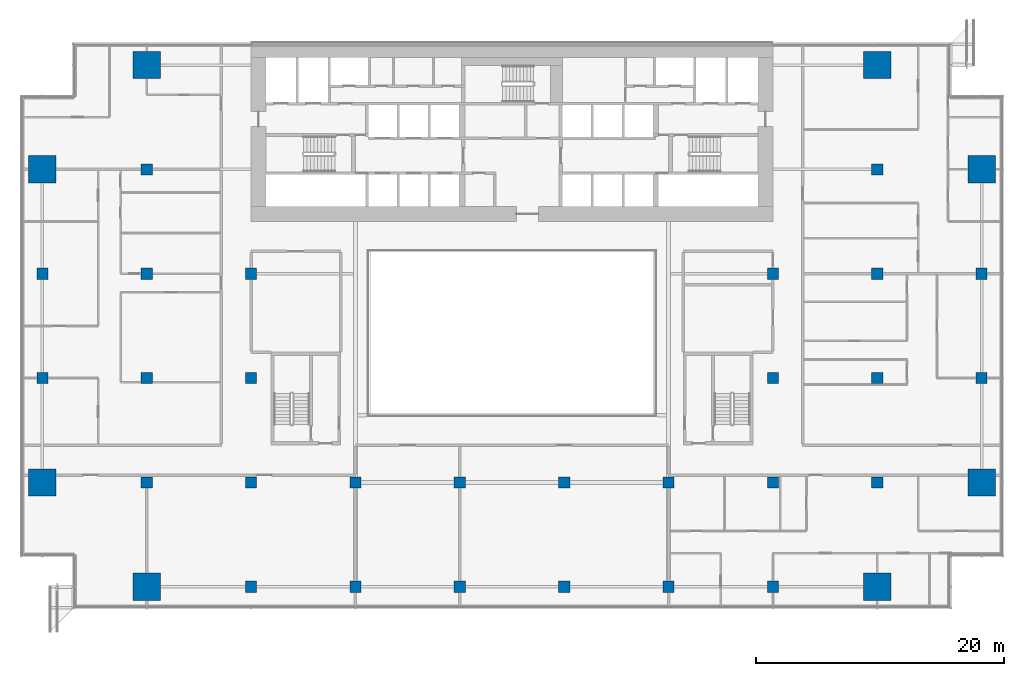
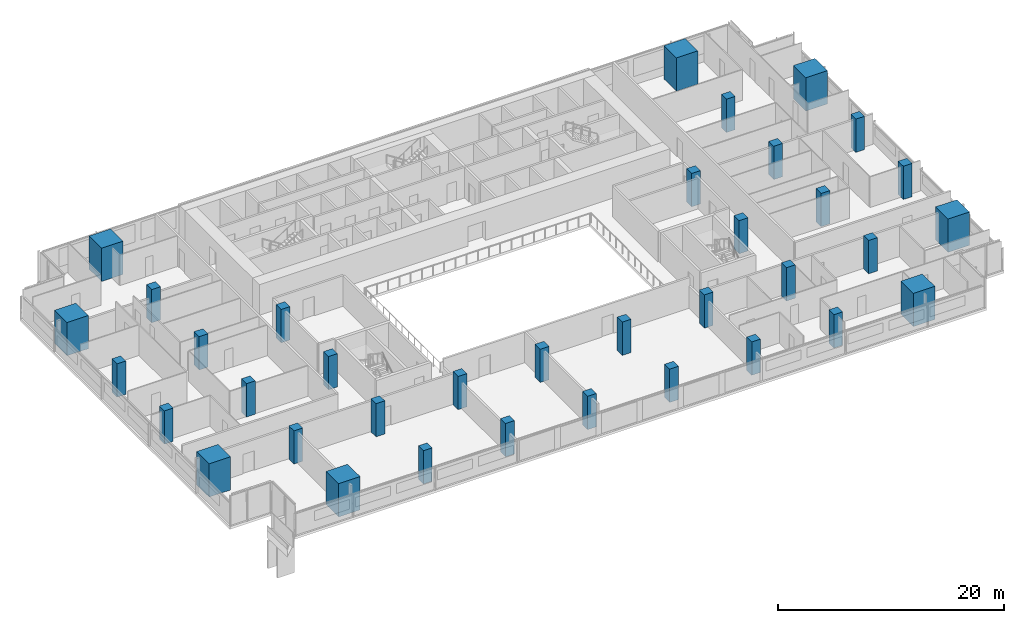
# One storey, part 1 of 25: 36 columns.
"""IFC4 building model written with IfcOpenShell, lengths in metres."""

from ifc_helpers import new_model, si_unit, direction, frame, origin, origin_2d, place, context, subcontext, project, spatial, rectangle, extrude, material, material_profile, profile_set, type_object, element, save


model = new_model("IFC4")

# Units and contexts
model_context = context("Model", 3, precision=1e-05, world=origin(), true_north=direction((0.0, 1.0)))
body_context = subcontext(model_context, "Body", "Model", "MODEL_VIEW")
ifc_project = project(units=[si_unit("LENGTHUNIT", "METRE"), si_unit("AREAUNIT", "SQUARE_METRE"), si_unit("VOLUMEUNIT", "CUBIC_METRE"), si_unit("PLANEANGLEUNIT", "RADIAN"), si_unit("MASSUNIT", "GRAM", prefix="KILO")], contexts=[model_context])

# Site, building, storey
site_placement = place(None, origin())
site = spatial("IfcSite", under=ifc_project, at=site_placement, CompositionType="ELEMENT")
building_placement = place(site_placement, origin())
building = spatial("IfcBuilding", under=site, at=building_placement, Name="Saffron Gate Tower", CompositionType="ELEMENT")
storey_placement = place(building_placement, frame((0.0, 0.0, 80.39990234375)))
storey = spatial("IfcBuildingStorey", under=building, at=storey_placement, Name="L19", CompositionType="ELEMENT", Elevation=80.39990234375)

# Columns
ifc_material_1 = material(Name="Concrete C60", Category="concrete")
ifc_material_profile_1 = material_profile(ifc_material_1, rectangle(XDim=0.89990234375, YDim=0.89990234375, at=origin_2d()))
ifc_profile_set_1 = profile_set([ifc_material_profile_1], Name="Concrete C60")
column_type_1 = type_object("IfcColumnType", Name="C6 RC 900x900 CONCRETE C60", PredefinedType="COLUMN", material=ifc_profile_set_1)
for number, where, z_axis, x_axis, name in (
    (1, (49.800048828125, 48.60009765625, 0.0), (0.0, 0.0, 1.0), (1.0, 0.0, 0.0), "C6 COLUMN X1-C"),
    (2, (49.800048828125, 57.0, 0.0), (0.0, 0.0, 1.0), (1.0, 0.0, 0.0), "C6 COLUMN X1-D"),
    (3, (58.199951171875, 40.199951171875, 0.0), (0.0, 0.0, 1.0), (1.0, 0.0, 0.0), "C6 COLUMN X2-B"),
    (4, (58.199951171875, 48.60009765625, 0.0), (0.0, 0.0, 1.0), (1.0, 0.0, 0.0), "C6 COLUMN X2-C"),
    (5, (58.199951171875, 57.0, 0.0), (0.0, 0.0, 1.0), (1.0, 0.0, 0.0), "C6 COLUMN X2-D"),
    (6, (58.199951171875, 65.39990234375, 0.0), (0.0, 0.0, 1.0), (1.0, 0.0, 0.0), "C6 COLUMN X2-E"),
    (7, (66.60009765625, 31.800048828125, 0.0), (0.0, 0.0, 1.0), (1.0, 0.0, 0.0), "C6 COLUMN X3-A"),
    (8, (66.60009765625, 40.199951171875, 0.0), (0.0, 0.0, 1.0), (1.0, 0.0, 0.0), "C6 COLUMN X3-B"),
    (9, (66.60009765625, 48.60009765625, 0.0), (0.0, 0.0, 1.0), (1.0, 0.0, 0.0), "C6 COLUMN X3-C"),
    (10, (66.60009765625, 57.0, 0.0), (0.0, 0.0, 1.0), (1.0, 0.0, 0.0), "C6 COLUMN X3-D"),
    (11, (75.0, 31.800048828125, 0.0), (0.0, 0.0, 1.0), (1.0, 0.0, 0.0), "C6 COLUMN X4-A"),
    (12, (75.0, 40.199951171875, 0.0), (0.0, 0.0, 1.0), (1.0, 0.0, 0.0), "C6 COLUMN X4-B"),
    (13, (83.39990234375, 31.800048828125, 0.0), (0.0, 0.0, 1.0), (1.0, 0.0, 0.0), "C6 COLUMN X5-A"),
    (14, (83.39990234375, 40.199951171875, 0.0), (0.0, 0.0, 1.0), (1.0, 0.0, 0.0), "C6 COLUMN X5-B"),
    (15, (91.800048828125, 31.800048828125, 0.0), (0.0, 0.0, 1.0), (1.0, 0.0, 0.0), "C6 COLUMN X6-A"),
    (16, (91.800048828125, 40.199951171875, 0.0), (0.0, 0.0, 1.0), (1.0, 0.0, 0.0), "C6 COLUMN X6-B"),
    (17, (100.199951171875, 31.800048828125, 0.0), (0.0, 0.0, 1.0), (1.0, 0.0, 0.0), "C6 COLUMN X7-A"),
    (18, (100.199951171875, 40.199951171875, 0.0), (0.0, 0.0, 1.0), (1.0, 0.0, 0.0), "C6 COLUMN X7-B"),
    (19, (108.60009765625, 31.800048828125, 0.0), (0.0, 0.0, 1.0), (1.0, 0.0, 0.0), "C6 COLUMN X8-A"),
    (20, (108.60009765625, 40.199951171875, 0.0), (0.0, 0.0, 1.0), (1.0, 0.0, 0.0), "C6 COLUMN X8-B"),
    (21, (108.60009765625, 48.60009765625, 0.0), (0.0, 0.0, 1.0), (1.0, 0.0, 0.0), "C6 COLUMN X8-C"),
    (22, (108.60009765625, 57.0, 0.0), (0.0, 0.0, 1.0), (1.0, 0.0, 0.0), "C6 COLUMN X8-D"),
    (23, (117.0, 40.199951171875, 0.0), (0.0, 0.0, 1.0), (1.0, 0.0, 0.0), "C6 COLUMN X9-B"),
    (24, (117.0, 48.60009765625, 0.0), (0.0, 0.0, 1.0), (1.0, 0.0, 0.0), "C6 COLUMN X9-C"),
    (25, (117.0, 57.0, 0.0), (0.0, 0.0, 1.0), (1.0, 0.0, 0.0), "C6 COLUMN X9-D"),
    (26, (117.0, 65.39990234375, 0.0), (0.0, 0.0, 1.0), (1.0, 0.0, 0.0), "C6 COLUMN X9-E"),
    (27, (125.39990234375, 48.60009765625, 0.0), (0.0, 0.0, 1.0), (1.0, 0.0, 0.0), "C6 COLUMN X10-C"),
    (28, (125.39990234375, 57.0, 0.0), (0.0, 0.0, 1.0), (1.0, 0.0, 0.0), "C6 COLUMN X10-D"),
):
    element("IfcColumn", number, at=place(storey_placement, frame(where, z_axis=z_axis, x_axis=x_axis)), inside=storey, type_object=column_type_1, Name=name, PredefinedType="COLUMN", context=body_context, shape_type="SweptSolid", body=[
        extrude(rectangle(XDim=0.89990234375, YDim=0.89990234375, at=origin_2d()), origin(), (0.0, 0.0, 1.0), 3.60009765625),
    ])
ifc_material_2 = material(Name="Concrete C80", Category="concrete")
ifc_material_profile_2 = material_profile(ifc_material_2, rectangle(XDim=2.199951171875, YDim=2.199951171875, at=origin_2d()))
ifc_profile_set_2 = profile_set([ifc_material_profile_2], Name="Concrete C80")
column_type_2 = type_object("IfcColumnType", Name="MC4 RC 2200x2200 CONCRETE C80", PredefinedType="COLUMN", material=ifc_profile_set_2)
for number, where, z_axis, x_axis, name in (
    (29, (49.800048828125, 40.199951171875, 0.0), (0.0, 0.0, 1.0), (1.0, 0.0, 0.0), "MC4 MEGA COLUMN X1-B"),
    (30, (49.800048828125, 65.39990234375, 0.0), (0.0, 0.0, 1.0), (1.0, 0.0, 0.0), "MC4 MEGA COLUMN X1-E"),
    (31, (58.199951171875, 31.800048828125, 0.0), (0.0, 0.0, 1.0), (1.0, 0.0, 0.0), "MC4 MEGA COLUMN X2-A"),
    (32, (58.199951171875, 73.800048828125, 0.0), (0.0, 0.0, 1.0), (1.0, 0.0, 0.0), "MC4 MEGA COLUMN X2-F"),
    (33, (117.0, 31.800048828125, 0.0), (0.0, 0.0, 1.0), (1.0, 0.0, 0.0), "MC4 MEGA COLUMN X9-A"),
    (34, (117.0, 73.800048828125, 0.0), (0.0, 0.0, 1.0), (1.0, 0.0, 0.0), "MC4 MEGA COLUMN X9-F"),
    (35, (125.39990234375, 40.199951171875, 0.0), (0.0, 0.0, 1.0), (1.0, 0.0, 0.0), "MC4 MEGA COLUMN X10-B"),
    (36, (125.39990234375, 65.39990234375, 0.0), (0.0, 0.0, 1.0), (1.0, 0.0, 0.0), "MC4 MEGA COLUMN X10-E"),
):
    element("IfcColumn", number, at=place(storey_placement, frame(where, z_axis=z_axis, x_axis=x_axis)), inside=storey, type_object=column_type_2, Name=name, PredefinedType="COLUMN", context=body_context, shape_type="SweptSolid", body=[
        extrude(rectangle(XDim=2.199951171875, YDim=2.199951171875, at=origin_2d()), origin(), (0.0, 0.0, 1.0), 3.60009765625),
    ])

save(model, "model.ifc")
